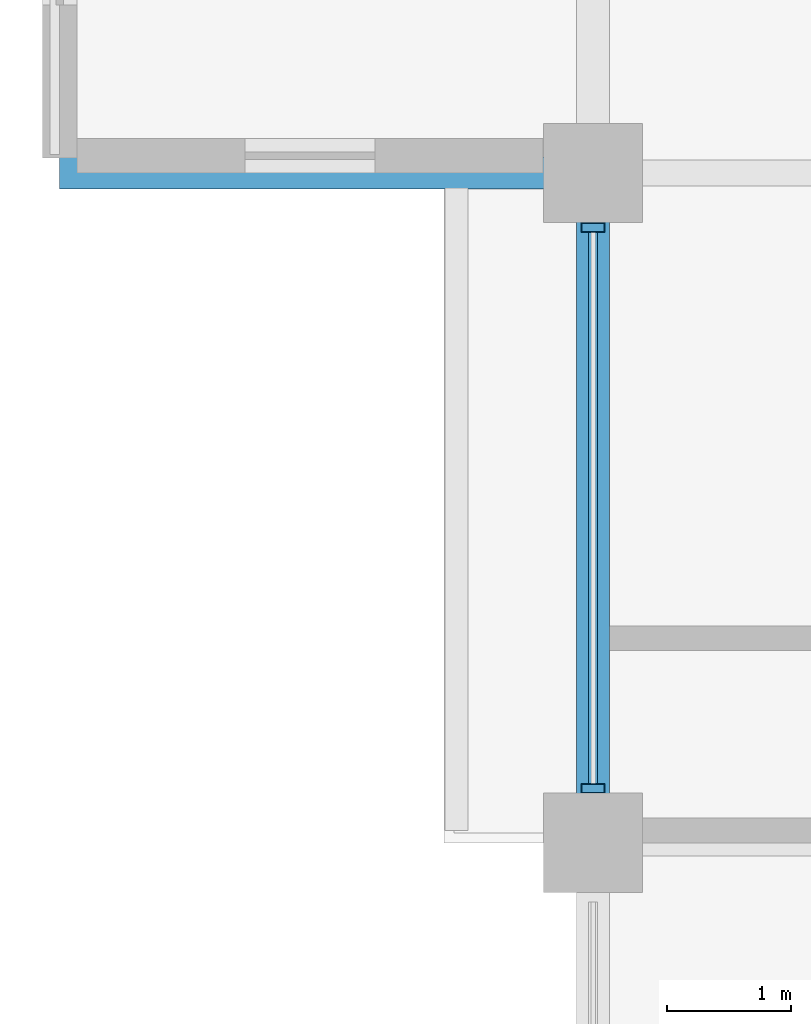
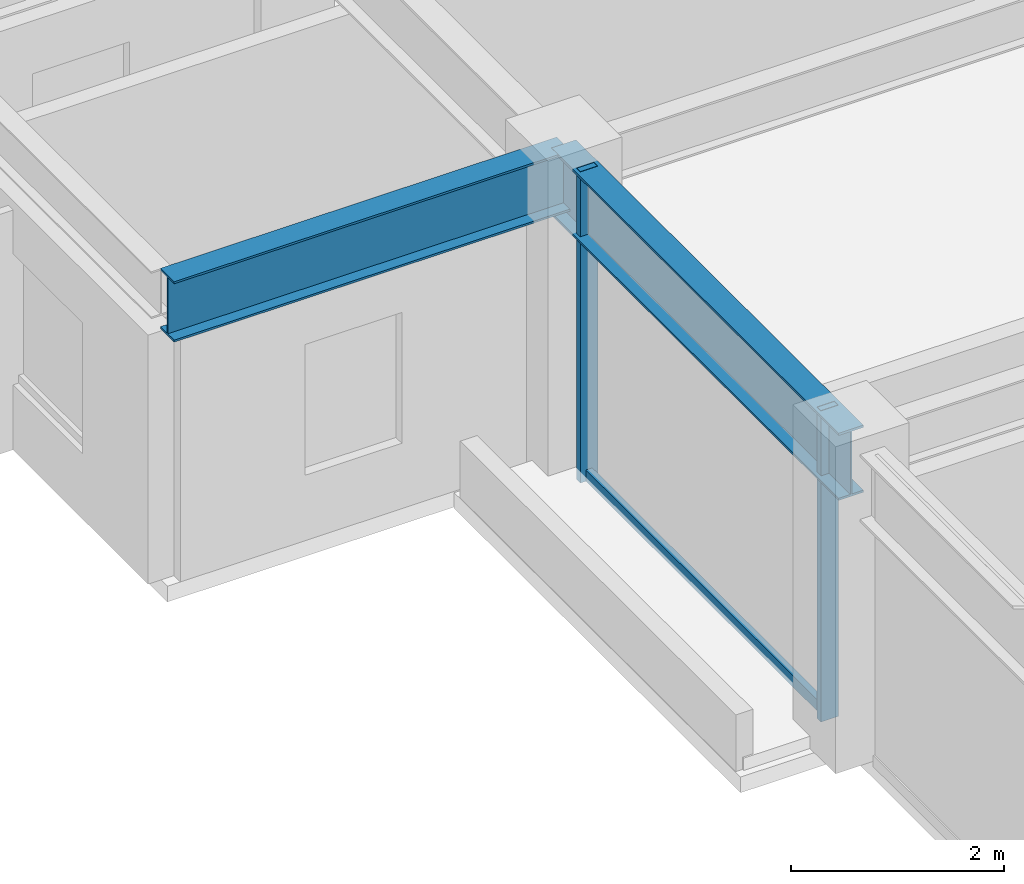
# One storey, part 5 of 28: 3 members, 2 beams, 1 element without a shape of its own.
"""IFC4 building model written with IfcOpenShell, lengths in metres."""

from ifc_helpers import new_model, si_unit, direction, frame, origin, origin_2d, place, context, subcontext, project, spatial, hollow_rectangle, i_section, extrude, material, layer, layer_set, material_profile, profile_set, type_object, element, aggregate, save


model = new_model("IFC4")

# Units and contexts
model_context = context("Model", 3, precision=1e-05, world=origin(), true_north=direction((0.0, 1.0)))
body_context = subcontext(model_context, "Body", "Model", "MODEL_VIEW")
ifc_project = project(units=[si_unit("LENGTHUNIT", "METRE"), si_unit("AREAUNIT", "SQUARE_METRE"), si_unit("VOLUMEUNIT", "CUBIC_METRE"), si_unit("PLANEANGLEUNIT", "RADIAN"), si_unit("MASSUNIT", "GRAM", prefix="KILO")], contexts=[model_context])

# Site, building, storey
site_placement = place(None, origin())
site = spatial("IfcSite", under=ifc_project, at=site_placement, CompositionType="ELEMENT")
building_placement = place(site_placement, origin())
building = spatial("IfcBuilding", under=site, at=building_placement, Name="Surkhivell Harbour Commons", CompositionType="ELEMENT")
storey_placement = place(building_placement, frame((0.0, 0.0, 238.5)))
storey = spatial("IfcBuildingStorey", under=building, at=storey_placement, Name="L62", CompositionType="ELEMENT", Elevation=238.5)

# Beams
ifc_material_1 = material(Name="Steel S460", Category="steel")
ifc_material_profile_1 = material_profile(ifc_material_1, i_section(OverallWidth=0.256103515625, OverallDepth=0.693115234375, WebThickness=0.014404296875, FlangeThickness=0.023681640625, at=origin_2d()), Name="UB686x254x170")
ifc_profile_set_1 = profile_set([ifc_material_profile_1], Name="Steel S460")
beam_type_1 = type_object("IfcBeamType", Name="BM-CNT-686", PredefinedType="BEAM", material=ifc_profile_set_1)
beam_1_placement = place(storey_placement, frame((-27.0, 0.0, 3.223388671875), z_axis=(-1.0, 0.0, 0.0), x_axis=(0.0, -1.0, 0.0)))
element("IfcBeam", 1, at=beam_1_placement, inside=storey, type_object=beam_type_1, Name="L62 Box Cantilever Outrigger (-27.0,0.0)", PredefinedType="BEAM", context=body_context, shape_type="SweptSolid", body=[
    extrude(i_section(OverallWidth=0.256103515625, OverallDepth=0.693115234375, WebThickness=0.014404296875, FlangeThickness=0.023681640625, at=origin_2d()), origin(), (0.0, 0.0, 1.0), 4.300048828125),
])
ifc_material_2 = material(Name="Steel S355", Category="steel")
ifc_material_profile_2 = material_profile(ifc_material_2, i_section(OverallWidth=0.26806640625, OverallDepth=0.77001953125, WebThickness=0.015625, FlangeThickness=0.025390625, at=origin_2d()), Name="UB762x267x197")
ifc_profile_set_2 = profile_set([ifc_material_profile_2], Name="Steel S355")
beam_type_2 = type_object("IfcBeamType", Name="BM-SPN-762", PredefinedType="SPANDREL", material=ifc_profile_set_2)
beam_2_placement = place(storey_placement, frame((-27.0, -5.39990234375, 3.18505859375), z_axis=(0.0, 1.0, 0.0), x_axis=(-1.0, 0.0, 0.0)))
element("IfcBeam", 2, at=beam_2_placement, inside=storey, type_object=beam_type_2, Name="L62 Tube Spandrel (-27.0,-5.4)", PredefinedType="SPANDREL", context=body_context, shape_type="SweptSolid", body=[
    extrude(i_section(OverallWidth=0.26806640625, OverallDepth=0.77001953125, WebThickness=0.015625, FlangeThickness=0.025390625, at=origin_2d()), origin(), (0.0, 0.0, 1.0), 5.39990234375),
])

# Curtain wall, members
ifc_material_3 = material(Name="Anodised pale-metal aluminium and insulated glazing", Category="aluminium")
ifc_layer = layer(ifc_material_3, 0.18994140625)
ifc_layer_set = layer_set([ifc_layer], Name="Anodised pale-metal aluminium and insulated glazing")
curtain_wall_type = type_object("IfcCurtainWallType", Name="CW-SYS-Z3", PredefinedType="NOTDEFINED", material=ifc_layer_set)
curtain_wall_placement = place(storey_placement, origin())
curtain_wall = element("IfcCurtainWall", 3, at=curtain_wall_placement, inside=storey, type_object=curtain_wall_type, Name="L62 Curtain Wall CW-L62-E12R1S1", PredefinedType="NOTDEFINED")
ifc_material_4 = material(Name="Anodised pale-metal aluminium alloy 6063-T6", Category="aluminium")
ifc_material_profile_3 = material_profile(ifc_material_4, hollow_rectangle(XDim=0.074951171875, YDim=0.18994140625, WallThickness=0.00390625, at=origin_2d()), Name="ALU-MULL-75x190")
ifc_profile_set_3 = profile_set([ifc_material_profile_3], Name="Anodised pale-metal aluminium alloy 6063-T6")
member_type_1 = type_object("IfcMemberType", Name="CWM-190", PredefinedType="MULLION", material=ifc_profile_set_3)
member_1_placement = place(storey_placement, frame((-27.0, -4.96044921875, 0.0), z_axis=(0.0, 0.0, 1.0), x_axis=(0.0, 1.0, 0.0)))
member_1 = element("IfcMember", 4, at=member_1_placement, type_object=member_type_1, Name="CW-Z3 mullion 2", PredefinedType="MULLION", context=body_context, shape_type="SweptSolid", body=[
    extrude(hollow_rectangle(XDim=0.074951171875, YDim=0.18994140625, WallThickness=0.00390625, at=origin_2d()), origin(), (0.0, 0.0, 1.0), 3.570068359375),
])
member_2_placement = place(storey_placement, frame((-27.0, -0.439453125, 0.0), z_axis=(0.0, 0.0, 1.0), x_axis=(0.0, 1.0, 0.0)))
member_2 = element("IfcMember", 5, at=member_2_placement, type_object=member_type_1, Name="CW-Z3 mullion 3", PredefinedType="MULLION", context=body_context, shape_type="SweptSolid", body=[
    extrude(hollow_rectangle(XDim=0.074951171875, YDim=0.18994140625, WallThickness=0.00390625, at=origin_2d()), origin(), (0.0, 0.0, 1.0), 3.570068359375),
])
ifc_material_5 = material(Name="Champagne anodised aluminium alloy 6063-T6", Category="aluminium")
ifc_material_profile_4 = material_profile(ifc_material_5, hollow_rectangle(XDim=0.070068359375, YDim=0.1298828125, WallThickness=0.00341796875, at=origin_2d()), Name="ALU-TRAN-70x130")
ifc_profile_set_4 = profile_set([ifc_material_profile_4], Name="Champagne anodised aluminium alloy 6063-T6")
member_type_2 = type_object("IfcMemberType", Name="CWT-130", PredefinedType="USERDEFINED", material=ifc_profile_set_4)
member_3_placement = place(storey_placement, frame((-27.0, -4.923095703125, 0.06494140625), z_axis=(0.0, 1.0, 0.0), x_axis=(-1.0, 0.0, 0.0)))
member_3 = element("IfcMember", 6, at=member_3_placement, type_object=member_type_2, Name="CW-Z3 transom 2.1", ObjectType="TRANSOM", PredefinedType="USERDEFINED", context=body_context, shape_type="SweptSolid", body=[
    extrude(hollow_rectangle(XDim=0.070068359375, YDim=0.1298828125, WallThickness=0.00341796875, at=origin_2d()), origin(), (0.0, 0.0, 1.0), 4.446044921875),
])
aggregate(curtain_wall, [member_1, member_2, member_3])

save(model, "model.ifc")
